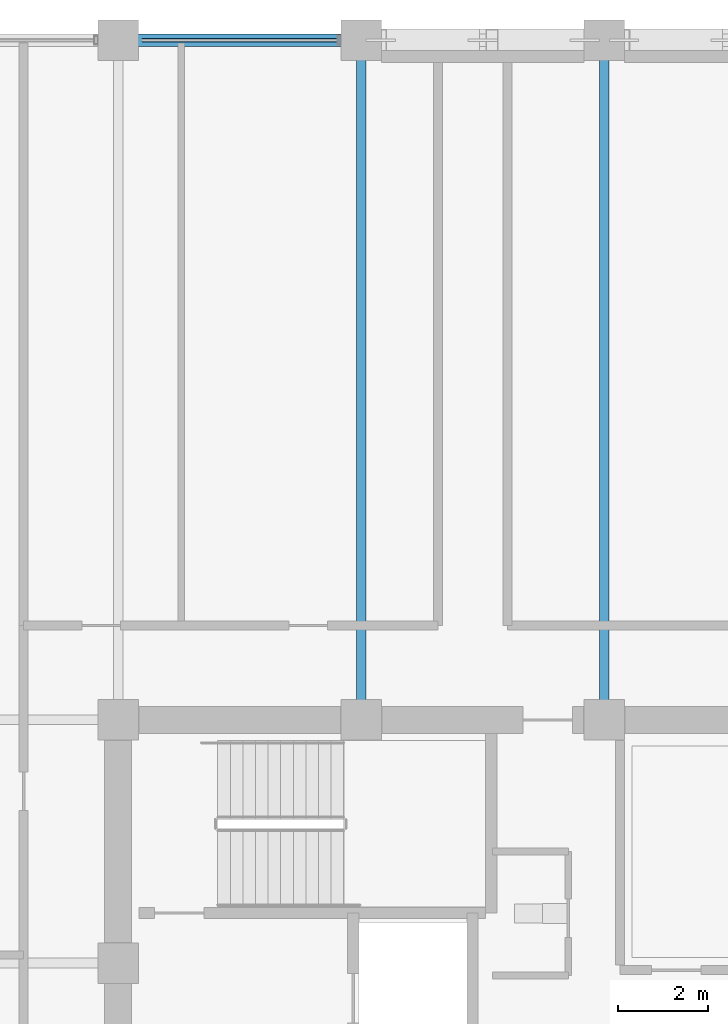
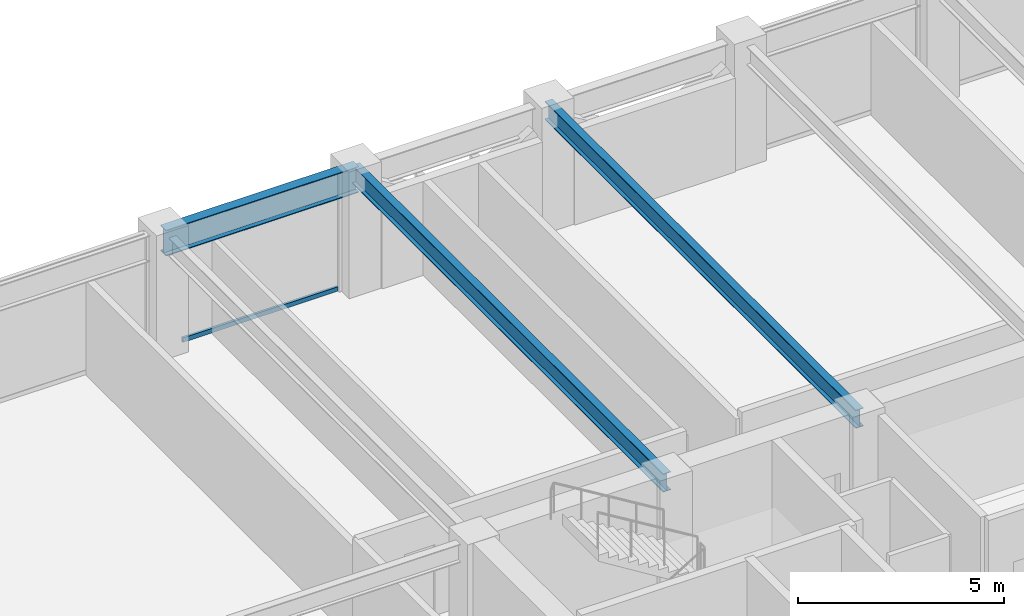
# One storey, part 20 of 32: 3 beams, 1 member, 1 element without a shape of its own.
"""IFC4 building model written with IfcOpenShell, lengths in metres."""

from ifc_helpers import new_model, si_unit, direction, frame, origin, origin_2d, place, context, subcontext, project, spatial, hollow_rectangle, i_section, extrude, material, layer, layer_set, material_profile, profile_set, type_object, element, aggregate, save


model = new_model("IFC4")

# Units and contexts
model_context = context("Model", 3, precision=1e-05, world=origin(), true_north=direction((0.0, 1.0)))
body_context = subcontext(model_context, "Body", "Model", "MODEL_VIEW")
ifc_project = project(units=[si_unit("LENGTHUNIT", "METRE"), si_unit("AREAUNIT", "SQUARE_METRE"), si_unit("VOLUMEUNIT", "CUBIC_METRE"), si_unit("PLANEANGLEUNIT", "RADIAN"), si_unit("MASSUNIT", "GRAM", prefix="KILO")], contexts=[model_context])

# Site, building, storey
site_placement = place(None, origin())
site = spatial("IfcSite", under=ifc_project, at=site_placement, CompositionType="ELEMENT")
building_placement = place(site_placement, origin())
building = spatial("IfcBuilding", under=site, at=building_placement, Name="Surkhivell Harbour Commons", CompositionType="ELEMENT")
storey_placement = place(building_placement, frame((0.0, 0.0, 208.5)))
storey = spatial("IfcBuildingStorey", under=building, at=storey_placement, Name="L54", CompositionType="ELEMENT", Elevation=208.5)

# Beams
ifc_material_1 = material(Name="Steel S355", Category="steel")
ifc_material_profile_1 = material_profile(ifc_material_1, i_section(OverallWidth=0.2119140625, OverallDepth=0.5439453125, WebThickness=0.0126953125, FlangeThickness=0.021240234375, at=origin_2d()), Name="UB533x210x122")
ifc_profile_set_1 = profile_set([ifc_material_profile_1], Name="Steel S355")
beam_type_1 = type_object("IfcBeamType", Name="BM-GRD-533A", PredefinedType="BEAM", material=ifc_profile_set_1)
for number, where, z_axis, x_axis, name in (
    (1, (-5.39990234375, 10.800048828125, 3.298095703125), (0.0, 1.0, 0.0), (-1.0, 0.0, 0.0), "L54 Floor Girder (-5.4,10.8)"),
    (2, (0.0, 10.800048828125, 3.298095703125), (0.0, 1.0, 0.0), (-1.0, 0.0, 0.0), "L54 Floor Girder (0.0,10.8)"),
):
    element("IfcBeam", number, at=place(storey_placement, frame(where, z_axis=z_axis, x_axis=x_axis)), inside=storey, type_object=beam_type_1, Name=name, PredefinedType="BEAM", context=body_context, shape_type="SweptSolid", body=[
        extrude(i_section(OverallWidth=0.2119140625, OverallDepth=0.5439453125, WebThickness=0.0126953125, FlangeThickness=0.021240234375, at=origin_2d()), origin(), (0.0, 0.0, 1.0), 15.099853515625),
    ])
ifc_material_profile_2 = material_profile(ifc_material_1, i_section(OverallWidth=0.26806640625, OverallDepth=0.77001953125, WebThickness=0.015625, FlangeThickness=0.025390625, at=origin_2d()), Name="UB762x267x197")
ifc_profile_set_2 = profile_set([ifc_material_profile_2], Name="Steel S355")
beam_type_2 = type_object("IfcBeamType", Name="BM-SPN-762", PredefinedType="SPANDREL", material=ifc_profile_set_2)
beam_placement = place(storey_placement, frame((-10.800048828125, 25.89990234375, 3.18505859375), z_axis=(1.0, 0.0, 0.0), x_axis=(0.0, 1.0, 0.0)))
element("IfcBeam", 3, at=beam_placement, inside=storey, type_object=beam_type_2, Name="L54 Tube Spandrel (-10.8,25.9)", PredefinedType="SPANDREL", context=body_context, shape_type="SweptSolid", body=[
    extrude(i_section(OverallWidth=0.26806640625, OverallDepth=0.77001953125, WebThickness=0.015625, FlangeThickness=0.025390625, at=origin_2d()), origin(), (0.0, 0.0, 1.0), 5.400146484375),
])

# Curtain wall, member
ifc_material_2 = material(Name="Anodised pale-metal aluminium and insulated glazing", Category="aluminium")
ifc_layer = layer(ifc_material_2, 0.18994140625)
ifc_layer_set = layer_set([ifc_layer], Name="Anodised pale-metal aluminium and insulated glazing")
curtain_wall_type = type_object("IfcCurtainWallType", Name="CW-SYS-Z3", PredefinedType="NOTDEFINED", material=ifc_layer_set)
curtain_wall_placement = place(storey_placement, origin())
curtain_wall = element("IfcCurtainWall", 4, at=curtain_wall_placement, inside=storey, type_object=curtain_wall_type, Name="L54 Curtain Wall CW-L54-E07S2", PredefinedType="NOTDEFINED")
ifc_material_3 = material(Name="Champagne anodised aluminium alloy 6063-T6", Category="aluminium")
ifc_material_profile_3 = material_profile(ifc_material_3, hollow_rectangle(XDim=0.070068359375, YDim=0.1298828125, WallThickness=0.00341796875, at=origin_2d()), Name="ALU-TRAN-70x130")
ifc_profile_set_3 = profile_set([ifc_material_profile_3], Name="Champagne anodised aluminium alloy 6063-T6")
member_type = type_object("IfcMemberType", Name="CWT-130", PredefinedType="USERDEFINED", material=ifc_profile_set_3)
member_placement = place(storey_placement, frame((-5.927001953125, 25.89990234375, 0.06494140625), z_axis=(-1.0, 0.0, 0.0), x_axis=(0.0, -1.0, 0.0)))
member = element("IfcMember", 5, at=member_placement, type_object=member_type, Name="CW-Z3 transom 1.1", ObjectType="TRANSOM", PredefinedType="USERDEFINED", context=body_context, shape_type="SweptSolid", body=[
    extrude(hollow_rectangle(XDim=0.070068359375, YDim=0.1298828125, WallThickness=0.00341796875, at=origin_2d()), origin(), (0.0, 0.0, 1.0), 4.345947265625),
])
aggregate(curtain_wall, [member])

save(model, "model.ifc")
